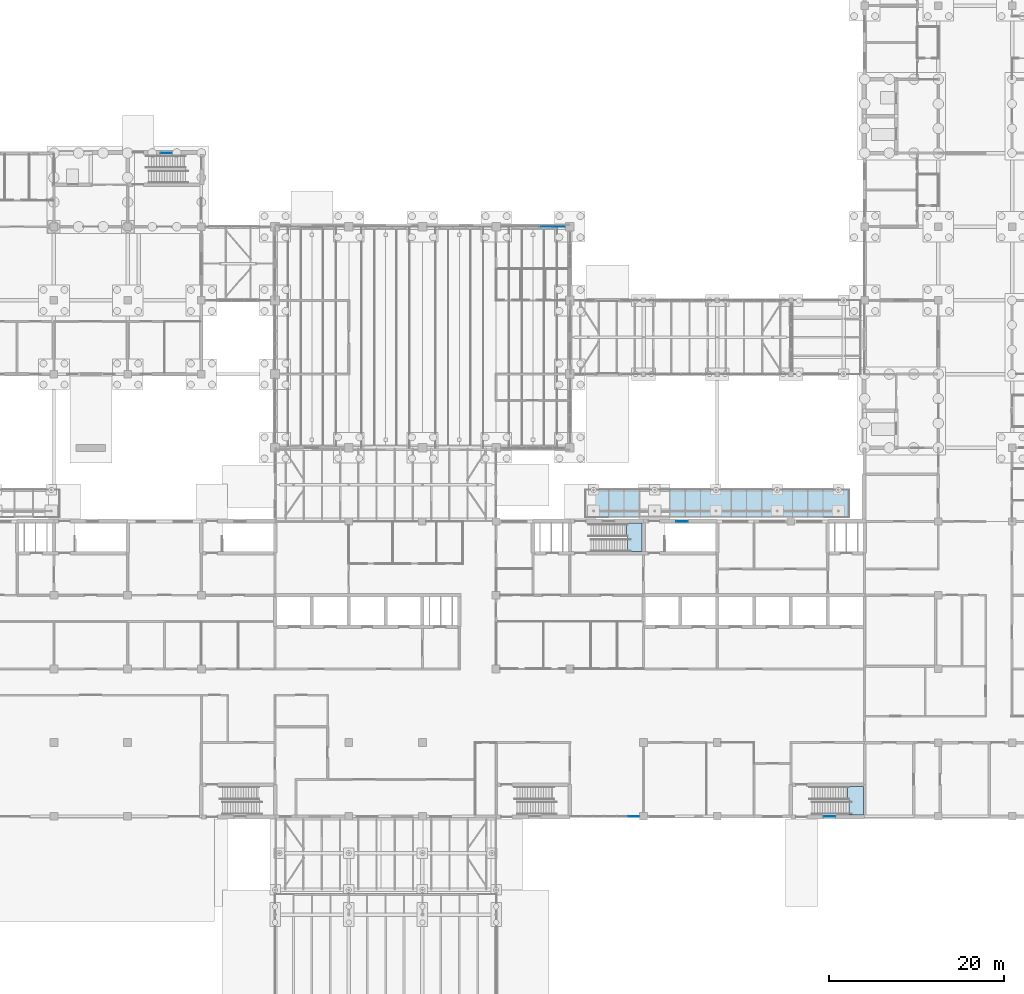
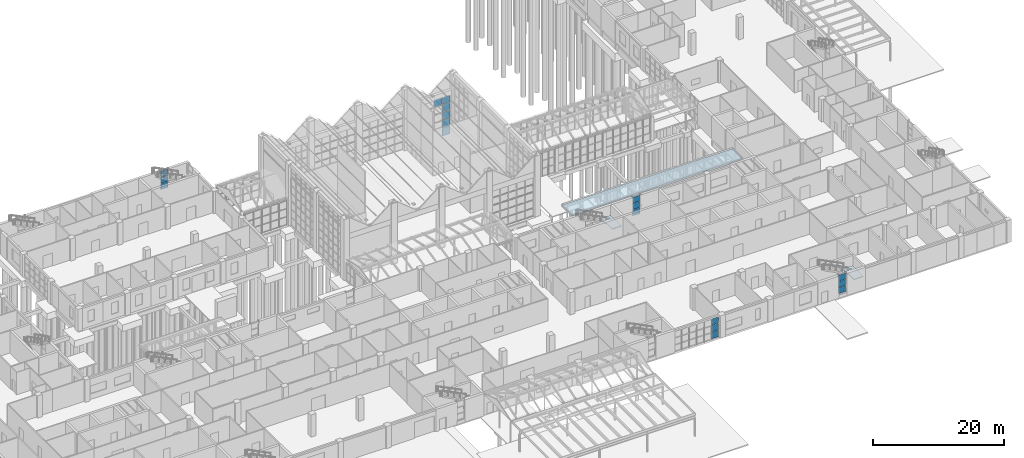
# One storey, part 88 of 138: 18 plates, 3 slabs, 8 elements without a shape of their own.
"""IFC4 building model written with IfcOpenShell, lengths in metres."""

from ifc_helpers import new_model, si_unit, direction, frame, origin, origin_2d, place, context, subcontext, project, spatial, polyline, rectangle, outline, extrude, material, layer, layer_set, type_object, element, aggregate, save


model = new_model("IFC4")

# Units and contexts
model_context = context("Model", 3, precision=1e-05, world=origin(), true_north=direction((0.0, 1.0)))
body_context = subcontext(model_context, "Body", "Model", "MODEL_VIEW")
ifc_project = project(units=[si_unit("LENGTHUNIT", "METRE"), si_unit("AREAUNIT", "SQUARE_METRE"), si_unit("VOLUMEUNIT", "CUBIC_METRE"), si_unit("PLANEANGLEUNIT", "RADIAN"), si_unit("MASSUNIT", "GRAM", prefix="KILO")], contexts=[model_context])

# Site, building, storey
site_placement = place(None, origin())
site = spatial("IfcSite", under=ifc_project, at=site_placement, CompositionType="ELEMENT")
building_placement = place(site_placement, origin())
building = spatial("IfcBuilding", under=site, at=building_placement, Name="Yavir Park General Hospital", CompositionType="ELEMENT")
storey_placement = place(building_placement, origin())
storey = spatial("IfcBuildingStorey", under=building, at=storey_placement, Name="L00", CompositionType="ELEMENT", Elevation=0.0)

# Curtain wall, plates
ifc_material_1 = material(Name="Aluminium curtain wall frame with insulated glazing", Category="aluminium")
curtain_wall_type_1 = type_object("IfcCurtainWallType", Name="Main hall glazing, lower band, 4500 high, 1400 module", PredefinedType="NOTDEFINED", material=ifc_material_1)
curtain_wall_1_placement = place(storey_placement, origin())
curtain_wall_1 = element("IfcCurtainWall", 1, at=curtain_wall_1_placement, inside=storey, type_object=curtain_wall_type_1, Name="CW33 L00-031", PredefinedType="NOTDEFINED")
ifc_material_2 = material(Name="Solar-control insulated glazed unit 40 mm")
ifc_layer_1 = layer(ifc_material_2, 0.050048828125)
ifc_layer_set_1 = layer_set([ifc_layer_1], Name="Solar-control insulated glazed unit 40 mm")
plate_type_1 = type_object("IfcPlateType", Name="Main hall glazing, lower band, 4500 high panel 50", PredefinedType="CURTAIN_PANEL", material=ifc_layer_set_1)
plate_1_placement = place(storey_placement, frame((107.945068359375, 67.199951171875, 0.06005859375), z_axis=(0.0, 0.0, 1.0), x_axis=(1.0, 0.0, 0.0)))
plate_1 = element("IfcPlate", 2, at=plate_1_placement, type_object=plate_type_1, Name="CW33 panel 5.1", PredefinedType="CURTAIN_PANEL", context=body_context, shape_type="SweptSolid", body=[
    extrude(rectangle(XDim=1.389892578125, YDim=0.050048828125, at=origin_2d()), origin(), (0.0, 0.0, 1.0), 1.409912109375),
])
plate_2_placement = place(storey_placement, frame((107.945068359375, 67.199951171875, 1.530029296875), z_axis=(0.0, 0.0, 1.0), x_axis=(1.0, 0.0, 0.0)))
plate_2 = element("IfcPlate", 3, at=plate_2_placement, type_object=plate_type_1, Name="CW33 panel 5.2", PredefinedType="CURTAIN_PANEL", context=body_context, shape_type="SweptSolid", body=[
    extrude(rectangle(XDim=1.389892578125, YDim=0.050048828125, at=origin_2d()), origin(), (0.0, 0.0, 1.0), 1.43994140625),
])
plate_3_placement = place(storey_placement, frame((107.945068359375, 67.199951171875, 3.0302734375), z_axis=(0.0, 0.0, 1.0), x_axis=(1.0, 0.0, 0.0)))
plate_3 = element("IfcPlate", 4, at=plate_3_placement, type_object=plate_type_1, Name="CW33 panel 5.3", PredefinedType="CURTAIN_PANEL", context=body_context, shape_type="SweptSolid", body=[
    extrude(rectangle(XDim=1.389892578125, YDim=0.050048828125, at=origin_2d()), origin(), (0.0, 0.0, 1.0), 1.409912109375),
])
aggregate(curtain_wall_1, [plate_1, plate_2, plate_3])

ifc_material_3 = material(Name="Aluminium curtain wall frame with insulated glazing", Category="aluminium")
curtain_wall_type_2 = type_object("IfcCurtainWallType", Name="Main hall glazing, upper band, 2817 high, 1400 module", PredefinedType="NOTDEFINED", material=ifc_material_3)
curtain_wall_2_placement = place(storey_placement, origin())
curtain_wall_2 = element("IfcCurtainWall", 5, at=curtain_wall_2_placement, inside=storey, type_object=curtain_wall_type_2, Name="CW34 L00-032", PredefinedType="NOTDEFINED")
ifc_material_4 = material(Name="Solar-control insulated glazed unit 40 mm")
ifc_layer_2 = layer(ifc_material_4, 0.0400390625)
ifc_layer_set_2 = layer_set([ifc_layer_2], Name="Solar-control insulated glazed unit 40 mm")
plate_type_2 = type_object("IfcPlateType", Name="Main hall glazing, upper band, 2817 high panel 40", PredefinedType="CURTAIN_PANEL", material=ifc_layer_set_2)
plate_4_placement = place(storey_placement, frame((106.47998046875, 67.199951171875, 5.9384765625), z_axis=(0.0, 0.0, 1.0), x_axis=(1.0, 0.0, 0.0)))
plate_4 = element("IfcPlate", 6, at=plate_4_placement, type_object=plate_type_2, Name="CW34 panel 4.2", PredefinedType="CURTAIN_PANEL", context=body_context, shape_type="SweptSolid", body=[
    extrude(rectangle(XDim=1.419921875, YDim=0.0400390625, at=origin_2d()), origin(), (0.0, 0.0, 1.0), 1.318603515625),
])
plate_5_placement = place(storey_placement, frame((107.945068359375, 67.199951171875, 4.56005859375), z_axis=(0.0, 0.0, 1.0), x_axis=(1.0, 0.0, 0.0)))
plate_5 = element("IfcPlate", 7, at=plate_5_placement, type_object=plate_type_2, Name="CW34 panel 5.1", PredefinedType="CURTAIN_PANEL", context=body_context, shape_type="SweptSolid", body=[
    extrude(rectangle(XDim=1.389892578125, YDim=0.0400390625, at=origin_2d()), origin(), (0.0, 0.0, 1.0), 1.318603515625),
])
plate_6_placement = place(storey_placement, frame((107.945068359375, 67.199951171875, 5.9384765625), z_axis=(0.0, 0.0, 1.0), x_axis=(1.0, 0.0, 0.0)))
plate_6 = element("IfcPlate", 8, at=plate_6_placement, type_object=plate_type_2, Name="CW34 panel 5.2", PredefinedType="CURTAIN_PANEL", context=body_context, shape_type="SweptSolid", body=[
    extrude(rectangle(XDim=1.389892578125, YDim=0.0400390625, at=origin_2d()), origin(), (0.0, 0.0, 1.0), 1.318603515625),
])
aggregate(curtain_wall_2, [plate_4, plate_5, plate_6])

# Stair, slab
ifc_material_5 = material(Name="Concrete C30/37", Category="concrete")
stair_type = type_object("IfcStairType", Name="Patient escape stair, 30 risers of 150 mm, 1400 mm flights", PredefinedType="HALF_TURN_STAIR", material=ifc_material_5)
stair_1_placement = place(storey_placement, origin())
stair_1 = element("IfcStair", 9, at=stair_1_placement, inside=storey, type_object=stair_type, Name="Stair SU5, L00 to L01", PredefinedType="HALF_TURN_STAIR")
ifc_material_6 = material(Name="Concrete C30/37", Category="concrete")
ifc_layer_3 = layer(ifc_material_6, 0.159912109375)
ifc_layer_set_3 = layer_set([ifc_layer_3], Name="Concrete C30/37")
slab_type_1 = type_object("IfcSlabType", Name="Patient escape stair half landing, reinforced concrete 160 mm", PredefinedType="LANDING", material=ifc_layer_set_3)
slab_1_placement = place(storey_placement, frame((0.0, 0.0, 2.090087890625)))
slab_1 = element("IfcSlab", 10, at=slab_1_placement, type_object=slab_type_1, Name="SU5 landing 1", PredefinedType="LANDING", context=body_context, shape_type="SweptSolid", body=[
    extrude(outline(polyline([(140.99853515625, 0.14990234375), (142.66259765625, 0.14990234375), (142.66259765625, 3.39990234375), (140.85009765625, 3.39990234375), (140.85009765625, 1.949951171875), (140.99853515625, 1.949951171875), (140.99853515625, 0.14990234375)])), origin(), (0.0, 0.0, 1.0), 0.159912109375),
])
aggregate(stair_1, [slab_1])

stair_2_placement = place(storey_placement, origin())
stair_2 = element("IfcStair", 11, at=stair_2_placement, inside=storey, type_object=stair_type, Name="Stair PN2, L00 to L01", PredefinedType="HALF_TURN_STAIR")
slab_2_placement = place(storey_placement, frame((0.0, 0.0, 2.090087890625)))
slab_2 = element("IfcSlab", 12, at=slab_2_placement, type_object=slab_type_1, Name="PN2 landing 1", PredefinedType="LANDING", context=body_context, shape_type="SweptSolid", body=[
    extrude(outline(polyline([(115.798583984375, 30.199951171875), (117.39990234375, 30.199951171875), (117.39990234375, 33.449951171875), (115.64990234375, 33.449951171875), (115.64990234375, 31.89990234375), (115.798583984375, 31.89990234375), (115.798583984375, 30.199951171875)])), origin(), (0.0, 0.0, 1.0), 0.159912109375),
])
aggregate(stair_2, [slab_2])

# Slab
ifc_material_7 = material(Name="Concrete C35/45", Category="concrete")
ifc_layer_4 = layer(ifc_material_7, 0.25)
ifc_layer_set_4 = layer_set([ifc_layer_4], Name="Concrete C35/45")
slab_type_2 = type_object("IfcSlabType", Name="RC SLAB ROOF 250", PredefinedType="ROOF", material=ifc_layer_set_4)
slab_3_placement = place(storey_placement, frame((0.0, 0.0, 3.85009765625)))
element("IfcSlab", 13, at=slab_3_placement, inside=storey, type_object=slab_type_2, Name="RF:ARC2:slab", PredefinedType="ROOF", context=body_context, shape_type="SweptSolid", body=[
    extrude(outline(polyline([(141.0, 34.10009765625), (141.0, 37.199951171875), (111.0, 37.199951171875), (111.0, 34.10009765625), (141.0, 34.10009765625)])), origin(), (0.0, 0.0, 1.0), 0.25),
])

# Curtain wall, plates
ifc_material_8 = material(Name="Aluminium curtain wall frame with insulated glazing", Category="aluminium")
curtain_wall_type_3 = type_object("IfcCurtainWallType", Name="Reception glazing, 3840 high, 1400 module", PredefinedType="NOTDEFINED", material=ifc_material_8)
curtain_wall_3_placement = place(storey_placement, origin())
curtain_wall_3 = element("IfcCurtainWall", 14, at=curtain_wall_3_placement, inside=storey, type_object=curtain_wall_type_3, Name="CW8 L00-004", PredefinedType="NOTDEFINED")
ifc_material_9 = material(Name="Security glazed unit 50 mm")
ifc_layer_5 = layer(ifc_material_9, 0.050048828125)
ifc_layer_set_5 = layer_set([ifc_layer_5], Name="Security glazed unit 50 mm")
plate_type_3 = type_object("IfcPlateType", Name="Reception glazing, 3840 high panel 50", PredefinedType="CURTAIN_PANEL", material=ifc_layer_set_5)
plate_7_placement = place(storey_placement, frame((116.472412109375, 0.0, 0.06005859375), z_axis=(0.0, 0.0, 1.0), x_axis=(1.0, 0.0, 0.0)))
plate_7 = element("IfcPlate", 15, at=plate_7_placement, type_object=plate_type_3, Name="CW8 panel 6.1", PredefinedType="CURTAIN_PANEL", context=body_context, shape_type="SweptSolid", body=[
    extrude(rectangle(XDim=1.235107421875, YDim=0.050048828125, at=origin_2d()), origin(), (0.0, 0.0, 1.0), 1.18994140625),
])
plate_8_placement = place(storey_placement, frame((116.472412109375, 0.0, 1.31005859375), z_axis=(0.0, 0.0, 1.0), x_axis=(1.0, 0.0, 0.0)))
plate_8 = element("IfcPlate", 16, at=plate_8_placement, type_object=plate_type_3, Name="CW8 panel 6.2", PredefinedType="CURTAIN_PANEL", context=body_context, shape_type="SweptSolid", body=[
    extrude(rectangle(XDim=1.235107421875, YDim=0.050048828125, at=origin_2d()), origin(), (0.0, 0.0, 1.0), 1.219970703125),
])
plate_9_placement = place(storey_placement, frame((116.472412109375, 0.0, 2.590087890625), z_axis=(0.0, 0.0, 1.0), x_axis=(1.0, 0.0, 0.0)))
plate_9 = element("IfcPlate", 17, at=plate_9_placement, type_object=plate_type_3, Name="CW8 panel 6.3", PredefinedType="CURTAIN_PANEL", context=body_context, shape_type="SweptSolid", body=[
    extrude(rectangle(XDim=1.235107421875, YDim=0.050048828125, at=origin_2d()), origin(), (0.0, 0.0, 1.0), 1.18994140625),
])
aggregate(curtain_wall_3, [plate_7, plate_8, plate_9])

ifc_material_10 = material(Name="Aluminium curtain wall frame with insulated glazing", Category="aluminium")
curtain_wall_type_4 = type_object("IfcCurtainWallType", Name="Stair light slot, ground floor, 3540 high, 1400 module", PredefinedType="NOTDEFINED", material=ifc_material_10)
curtain_wall_4_placement = place(storey_placement, origin())
curtain_wall_4 = element("IfcCurtainWall", 18, at=curtain_wall_4_placement, inside=storey, type_object=curtain_wall_type_4, Name="CW19 L00-005", PredefinedType="NOTDEFINED")
ifc_material_11 = material(Name="Impact-resistant glazed unit 60 mm")
ifc_layer_6 = layer(ifc_material_11, 0.06005859375)
ifc_layer_set_6 = layer_set([ifc_layer_6], Name="Impact-resistant glazed unit 60 mm")
plate_type_4 = type_object("IfcPlateType", Name="Stair light slot, ground floor, 3540 high panel 60", PredefinedType="CURTAIN_PANEL", material=ifc_layer_set_6)
plate_10_placement = place(storey_placement, frame((138.800048828125, 0.0, 0.64990234375), z_axis=(0.0, 0.0, 1.0), x_axis=(1.0, 0.0, 0.0)))
plate_10 = element("IfcPlate", 19, at=plate_10_placement, type_object=plate_type_4, Name="CW19 panel 1.1", PredefinedType="CURTAIN_PANEL", context=body_context, shape_type="SweptSolid", body=[
    extrude(rectangle(XDim=1.300048828125, YDim=0.06005859375, at=origin_2d()), origin(), (0.0, 0.0, 1.0), 1.10498046875),
])
plate_11_placement = place(storey_placement, frame((138.800048828125, 0.0, 1.80517578125), z_axis=(0.0, 0.0, 1.0), x_axis=(1.0, 0.0, 0.0)))
plate_11 = element("IfcPlate", 20, at=plate_11_placement, type_object=plate_type_4, Name="CW19 panel 1.2", PredefinedType="CURTAIN_PANEL", context=body_context, shape_type="SweptSolid", body=[
    extrude(rectangle(XDim=1.300048828125, YDim=0.06005859375, at=origin_2d()), origin(), (0.0, 0.0, 1.0), 1.1298828125),
])
plate_12_placement = place(storey_placement, frame((138.800048828125, 0.0, 2.985107421875), z_axis=(0.0, 0.0, 1.0), x_axis=(1.0, 0.0, 0.0)))
plate_12 = element("IfcPlate", 21, at=plate_12_placement, type_object=plate_type_4, Name="CW19 panel 1.3", PredefinedType="CURTAIN_PANEL", context=body_context, shape_type="SweptSolid", body=[
    extrude(rectangle(XDim=1.300048828125, YDim=0.06005859375, at=origin_2d()), origin(), (0.0, 0.0, 1.0), 1.10498046875),
])
aggregate(curtain_wall_4, [plate_10, plate_11, plate_12])

curtain_wall_5_placement = place(storey_placement, origin())
curtain_wall_5 = element("IfcCurtainWall", 22, at=curtain_wall_5_placement, inside=storey, type_object=curtain_wall_type_4, Name="CW19 L00-010", PredefinedType="NOTDEFINED")
plate_13_placement = place(storey_placement, frame((122.0, 33.60009765625, 0.64990234375), z_axis=(0.0, 0.0, 1.0), x_axis=(1.0, 0.0, 0.0)))
plate_13 = element("IfcPlate", 23, at=plate_13_placement, type_object=plate_type_4, Name="CW19 panel 1.1", PredefinedType="CURTAIN_PANEL", context=body_context, shape_type="SweptSolid", body=[
    extrude(rectangle(XDim=1.300048828125, YDim=0.06005859375, at=origin_2d()), origin(), (0.0, 0.0, 1.0), 1.10498046875),
])
plate_14_placement = place(storey_placement, frame((122.0, 33.60009765625, 1.80517578125), z_axis=(0.0, 0.0, 1.0), x_axis=(1.0, 0.0, 0.0)))
plate_14 = element("IfcPlate", 24, at=plate_14_placement, type_object=plate_type_4, Name="CW19 panel 1.2", PredefinedType="CURTAIN_PANEL", context=body_context, shape_type="SweptSolid", body=[
    extrude(rectangle(XDim=1.300048828125, YDim=0.06005859375, at=origin_2d()), origin(), (0.0, 0.0, 1.0), 1.1298828125),
])
plate_15_placement = place(storey_placement, frame((122.0, 33.60009765625, 2.985107421875), z_axis=(0.0, 0.0, 1.0), x_axis=(1.0, 0.0, 0.0)))
plate_15 = element("IfcPlate", 25, at=plate_15_placement, type_object=plate_type_4, Name="CW19 panel 1.3", PredefinedType="CURTAIN_PANEL", context=body_context, shape_type="SweptSolid", body=[
    extrude(rectangle(XDim=1.300048828125, YDim=0.06005859375, at=origin_2d()), origin(), (0.0, 0.0, 1.0), 1.10498046875),
])
aggregate(curtain_wall_5, [plate_13, plate_14, plate_15])

curtain_wall_6_placement = place(storey_placement, origin())
curtain_wall_6 = element("IfcCurtainWall", 26, at=curtain_wall_6_placement, inside=storey, type_object=curtain_wall_type_4, Name="CW19 L00-034", PredefinedType="NOTDEFINED")
plate_16_placement = place(storey_placement, frame((63.199951171875, 75.60009765625, 0.64990234375), z_axis=(0.0, 0.0, 1.0), x_axis=(1.0, 0.0, 0.0)))
plate_16 = element("IfcPlate", 27, at=plate_16_placement, type_object=plate_type_4, Name="CW19 panel 1.1", PredefinedType="CURTAIN_PANEL", context=body_context, shape_type="SweptSolid", body=[
    extrude(rectangle(XDim=1.300048828125, YDim=0.06005859375, at=origin_2d()), origin(), (0.0, 0.0, 1.0), 1.10498046875),
])
plate_17_placement = place(storey_placement, frame((63.199951171875, 75.60009765625, 1.80517578125), z_axis=(0.0, 0.0, 1.0), x_axis=(1.0, 0.0, 0.0)))
plate_17 = element("IfcPlate", 28, at=plate_17_placement, type_object=plate_type_4, Name="CW19 panel 1.2", PredefinedType="CURTAIN_PANEL", context=body_context, shape_type="SweptSolid", body=[
    extrude(rectangle(XDim=1.300048828125, YDim=0.06005859375, at=origin_2d()), origin(), (0.0, 0.0, 1.0), 1.1298828125),
])
plate_18_placement = place(storey_placement, frame((63.199951171875, 75.60009765625, 2.985107421875), z_axis=(0.0, 0.0, 1.0), x_axis=(1.0, 0.0, 0.0)))
plate_18 = element("IfcPlate", 29, at=plate_18_placement, type_object=plate_type_4, Name="CW19 panel 1.3", PredefinedType="CURTAIN_PANEL", context=body_context, shape_type="SweptSolid", body=[
    extrude(rectangle(XDim=1.300048828125, YDim=0.06005859375, at=origin_2d()), origin(), (0.0, 0.0, 1.0), 1.10498046875),
])
aggregate(curtain_wall_6, [plate_16, plate_17, plate_18])

save(model, "model.ifc")
